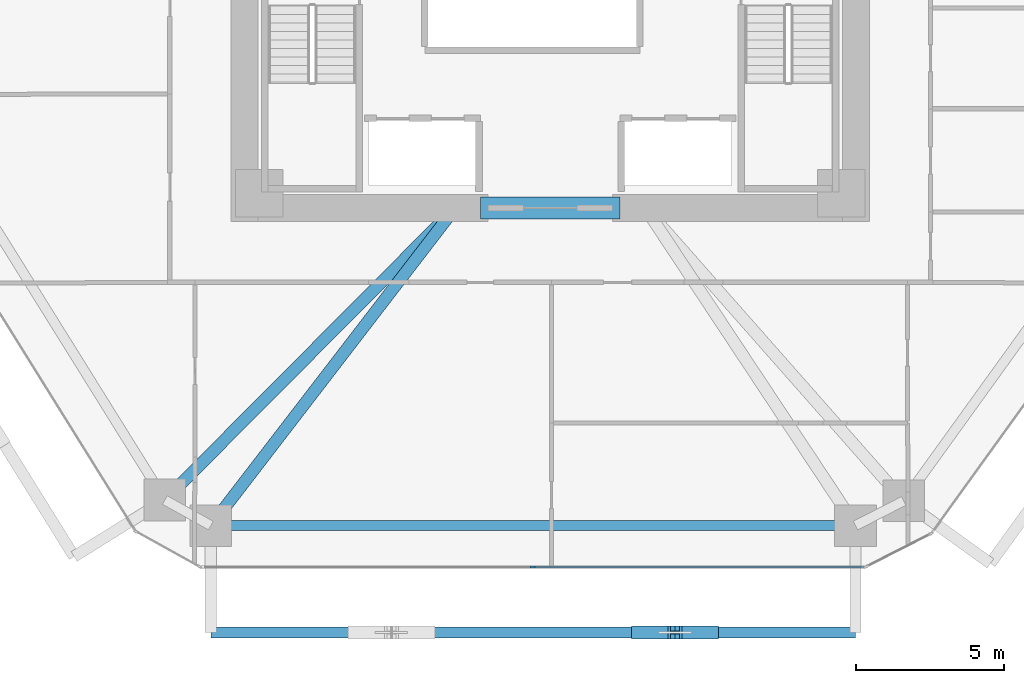
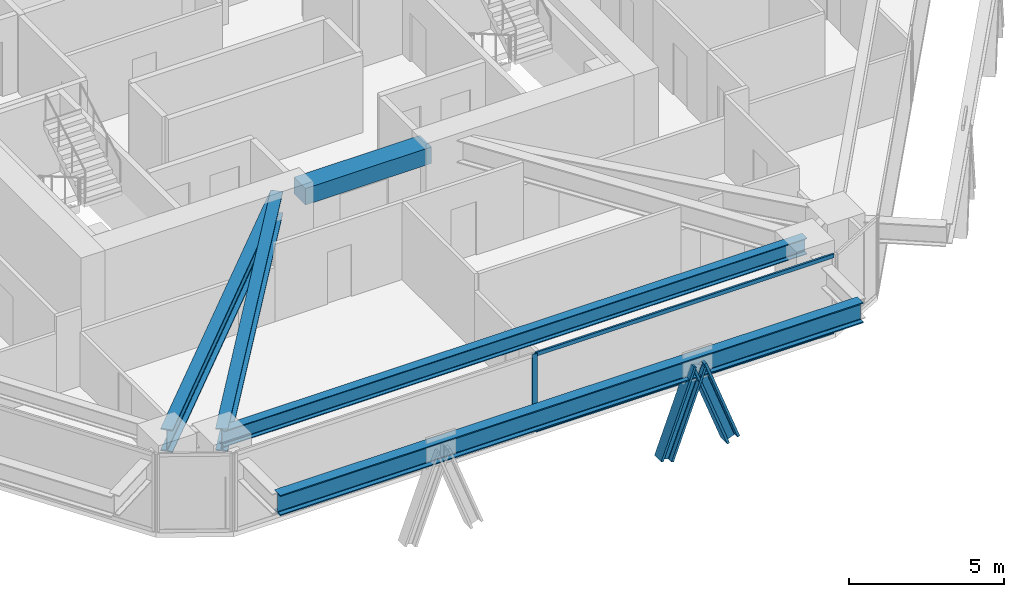
# One storey, part 3 of 17: 5 beams, 5 members, 1 element without a shape of its own.
"""IFC4 building model written with IfcOpenShell, lengths in metres."""

from ifc_helpers import new_model, si_unit, direction, frame, origin, origin_2d, place, context, subcontext, project, spatial, rectangle, i_section, extrude, source, transform, mapped, material, layer, layer_set, material_profile, profile_set, type_object, type_shapes, element, aggregate, save


model = new_model("IFC4")

# Units and contexts
model_context = context("Model", 3, precision=1e-05, world=origin(), true_north=direction((0.0, 1.0)))
body_context = subcontext(model_context, "Body", "Model", "MODEL_VIEW")
ifc_project = project(units=[si_unit("LENGTHUNIT", "METRE"), si_unit("AREAUNIT", "SQUARE_METRE"), si_unit("VOLUMEUNIT", "CUBIC_METRE"), si_unit("PLANEANGLEUNIT", "RADIAN"), si_unit("MASSUNIT", "GRAM", prefix="KILO")], contexts=[model_context])

# Site, building, storey
site_placement = place(None, origin())
site = spatial("IfcSite", under=ifc_project, at=site_placement, CompositionType="ELEMENT")
building_placement = place(site_placement, origin())
building = spatial("IfcBuilding", under=site, at=building_placement, Name="Durnholm Broadcast Tower", CompositionType="ELEMENT")
storey_placement = place(building_placement, frame((0.0, 0.0, 72.0)))
storey = spatial("IfcBuildingStorey", under=building, at=storey_placement, Name="L18", CompositionType="ELEMENT", Elevation=72.0)

# Beams
ifc_material_1 = material(Name="Concrete C70/85", Category="concrete")
ifc_material_profile_1 = material_profile(ifc_material_1, rectangle(XDim=0.75, YDim=0.64990234375, at=origin_2d()), Name="RC750X650")
ifc_profile_set_1 = profile_set([ifc_material_profile_1], Name="Concrete C70/85")
beam_type_1 = type_object("IfcBeamType", Name="BM-CB-RC650", PredefinedType="LINTEL", material=ifc_profile_set_1)
shared_shape_1 = source(origin(), body_context, "Body", "SweptSolid", [
    extrude(rectangle(XDim=0.75, YDim=0.64990234375, at=origin_2d()), origin(), (0.0, 0.0, 1.0), 4.7001953125),
])
type_shapes(beam_type_1, [shared_shape_1])
beam_1_placement = place(storey_placement, frame((-2.35009765625, -8.300048828125, 2.72998046875), z_axis=(1.0, 0.0, 0.0), x_axis=(0.0, 1.0, 0.0)))
element("IfcBeam", 1, at=beam_1_placement, inside=storey, type_object=beam_type_1, Name="L18 south core coupling lintel beam CB-S", PredefinedType="LINTEL", context=body_context, shape_type="MappedRepresentation", body=[
    mapped(shared_shape_1, transform((0.0, 0.0, 0.0), x_axis=(1.0, 0.0, 0.0), y_axis=(0.0, 1.0, 0.0), z_axis=(0.0, 0.0, 1.0), scale=1.0)),
])
ifc_material_2 = material(Name="Steel ASTM A992 Grade 50", Category="steel")
ifc_material_profile_2 = material_profile(ifc_material_2, i_section(OverallWidth=0.3291015625, OverallDepth=0.635009765625, WebThickness=0.017822265625, FlangeThickness=0.031005859375, FilletRadius=0.02783203125, at=origin_2d()), Name="W24X162")
ifc_profile_set_2 = profile_set([ifc_material_profile_2], Name="Steel ASTM A992 Grade 50")
beam_type_2 = type_object("IfcBeamType", Name="STL-SP-W24X162", PredefinedType="SPANDREL", material=ifc_profile_set_2)
shared_shape_2 = source(origin(), body_context, "Body", "SweptSolid", [
    extrude(i_section(OverallWidth=0.3291015625, OverallDepth=0.635009765625, WebThickness=0.017822265625, FlangeThickness=0.031005859375, FilletRadius=0.02783203125, at=origin_2d()), origin(), (0.0, 0.0, 1.0), 21.7138671875),
])
type_shapes(beam_type_2, [shared_shape_2])
beam_2_placement = place(storey_placement, frame((10.28271484375, -19.0, 2.7275390625), z_axis=(-1.0, 0.0, 0.0), x_axis=(0.0, -1.0, 0.0)))
element("IfcBeam", 2, at=beam_2_placement, inside=storey, type_object=beam_type_2, Name="L18 perimeter spandrel girder 11", PredefinedType="SPANDREL", context=body_context, shape_type="MappedRepresentation", body=[
    mapped(shared_shape_2, transform((0.0, 0.0, 0.0), x_axis=(1.0, 0.0, 0.0), y_axis=(0.0, 1.0, 0.0), z_axis=(0.0, 0.0, 1.0), scale=1.0)),
])
ifc_material_profile_3 = material_profile(ifc_material_2, i_section(OverallWidth=0.404052734375, OverallDepth=0.885009765625, WebThickness=0.0244140625, FlangeThickness=0.0439453125, FilletRadius=0.03564453125, at=origin_2d()), Name="W33X291")
ifc_profile_set_3 = profile_set([ifc_material_profile_3], Name="Steel ASTM A992 Grade 50")
beam_type_3 = type_object("IfcBeamType", Name="STL-GR-W33X291", PredefinedType="USERDEFINED", material=ifc_profile_set_3)
shared_shape_3 = source(origin(), body_context, "Body", "SweptSolid", [
    extrude(i_section(OverallWidth=0.404052734375, OverallDepth=0.885009765625, WebThickness=0.0244140625, FlangeThickness=0.0439453125, FilletRadius=0.03564453125, at=origin_2d()), origin(), (0.0, 0.0, 1.0), 13.874267578125),
])
beam_3_placement = place(storey_placement, frame((-3.199951171875, -8.300048828125, 2.6025390625), z_axis=(-0.705097917174, -0.709109954237, 0.0), x_axis=(0.709109954237, -0.705097917174, 0.0)))
element("IfcBeam", 3, at=beam_3_placement, inside=storey, type_object=beam_type_3, Name="L18 radial primary floor girder 01", ObjectType="GIRDER", PredefinedType="USERDEFINED", context=body_context, shape_type="MappedRepresentation", body=[
    mapped(shared_shape_3, transform((0.0, 0.0, 0.0), x_axis=(1.0, 0.0, 0.0), y_axis=(0.0, 1.0, 0.0), z_axis=(0.0, 0.0, 1.0), scale=1.0)),
])
shared_shape_4 = source(origin(), body_context, "Body", "SweptSolid", [
    extrude(i_section(OverallWidth=0.404052734375, OverallDepth=0.885009765625, WebThickness=0.0244140625, FlangeThickness=0.0439453125, FilletRadius=0.03564453125, at=origin_2d()), origin(), (0.0, 0.0, 1.0), 13.499755859375),
])
type_shapes(beam_type_3, [shared_shape_3, shared_shape_4])
beam_4_placement = place(storey_placement, frame((-3.199951171875, -8.300048828125, 2.6025390625), z_axis=(-0.609732610412, -0.79260718127, 0.0), x_axis=(0.79260718127, -0.609732610412, 0.0)))
element("IfcBeam", 4, at=beam_4_placement, inside=storey, type_object=beam_type_3, Name="L18 radial primary floor girder 12", ObjectType="GIRDER", PredefinedType="USERDEFINED", context=body_context, shape_type="MappedRepresentation", body=[
    mapped(shared_shape_4, transform((0.0, 0.0, 0.0), x_axis=(1.0, 0.0, 0.0), y_axis=(0.0, 1.0, 0.0), z_axis=(0.0, 0.0, 1.0), scale=1.0)),
])
ifc_material_profile_4 = material_profile(ifc_material_2, i_section(OverallWidth=0.385009765625, OverallDepth=0.802978515625, WebThickness=0.023681640625, FlangeThickness=0.0419921875, FilletRadius=0.032958984375, at=origin_2d()), Name="W30X261")
ifc_profile_set_4 = profile_set([ifc_material_profile_4], Name="Steel ASTM A992 Grade 50")
beam_type_4 = type_object("IfcBeamType", Name="BM-EXO-TIE", PredefinedType="USERDEFINED", material=ifc_profile_set_4)
shared_shape_5 = source(origin(), body_context, "Body", "SweptSolid", [
    extrude(i_section(OverallWidth=0.385009765625, OverallDepth=0.802978515625, WebThickness=0.023681640625, FlangeThickness=0.0419921875, FilletRadius=0.032958984375, at=origin_2d()), origin(), (0.0, 0.0, 1.0), 21.7138671875),
])
type_shapes(beam_type_4, [shared_shape_5])
beam_5_placement = place(storey_placement, frame((-11.43115234375, -22.60009765625, 2.30859375), z_axis=(1.0, 0.0, 0.0), x_axis=(0.0, 1.0, 0.0)))
element("IfcBeam", 5, at=beam_5_placement, inside=storey, type_object=beam_type_4, Name="L18 exoskeleton collector spandrel F1", PredefinedType="SPANDREL", context=body_context, shape_type="MappedRepresentation", body=[
    mapped(shared_shape_5, transform((0.0, 0.0, 0.0), x_axis=(1.0, 0.0, 0.0), y_axis=(0.0, 1.0, 0.0), z_axis=(0.0, 0.0, 1.0), scale=1.0)),
])

# Members
ifc_material_3 = material(Name="Steel ASTM A913 Grade 65", Category="steel")
ifc_material_profile_5 = material_profile(ifc_material_3, i_section(OverallWidth=0.43212890625, OverallDepth=0.497802734375, WebThickness=0.0556640625, FlangeThickness=0.0888671875, FilletRadius=0.030517578125, at=origin_2d()), Name="W14X500")
ifc_profile_set_5 = profile_set([ifc_material_profile_5], Name="Steel ASTM A913 Grade 65")
member_type_1 = type_object("IfcMemberType", Name="STL-DG-W14X500", PredefinedType="BRACE", material=ifc_profile_set_5)
shared_shape_6 = source(origin(), body_context, "Body", "SweptSolid", [
    extrude(i_section(OverallWidth=0.43212890625, OverallDepth=0.497802734375, WebThickness=0.0556640625, FlangeThickness=0.0888671875, FilletRadius=0.030517578125, at=origin_2d()), origin(), (0.0, 0.0, 1.0), 3.523193359375),
])
type_shapes(member_type_1, [shared_shape_6])
for number, where, z_axis, x_axis, name in (
    (6, (2.968994140625, -22.60009765625, -0.991455078125), (0.350219588454, 0.0, 0.936667625075), (0.0, 1.0, 0.0), "L18 stand-off diagrid brace F1.D2.1"),
    (7, (5.436767578125, -22.60009765625, -0.991455078125), (-0.350219588454, 0.0, 0.936667625075), (0.0, -1.0, 0.0), "L18 stand-off diagrid brace F1.D2.2"),
):
    element("IfcMember", number, at=place(storey_placement, frame(where, z_axis=z_axis, x_axis=x_axis)), inside=storey, type_object=member_type_1, Name=name, PredefinedType="BRACE", context=body_context, shape_type="MappedRepresentation", body=[
        mapped(shared_shape_6, transform((0.0, 0.0, 0.0), x_axis=(1.0, 0.0, 0.0), y_axis=(0.0, 1.0, 0.0), z_axis=(0.0, 0.0, 1.0), scale=1.0)),
    ])

# Curtain wall, members
ifc_material_4 = material(Name="Aluminium and Solar Control IGU", Category="aluminium")
ifc_layer = layer(ifc_material_4, 0.18994140625)
ifc_layer_set = layer_set([ifc_layer], Name="Aluminium and Solar Control IGU")
curtain_wall_type = type_object("IfcCurtainWallType", Name="CW-SYS-3", PredefinedType="NOTDEFINED", material=ifc_layer_set)
curtain_wall_placement = place(storey_placement, origin())
curtain_wall = element("IfcCurtainWall", 8, at=curtain_wall_placement, inside=storey, type_object=curtain_wall_type, Name="L18 curtain wall CW-Z12-VIS CW-L18-F10", PredefinedType="NOTDEFINED")
ifc_material_5 = material(Name="Aluminium 6063-T6", Category="aluminium")
ifc_material_profile_6 = material_profile(ifc_material_5, rectangle(XDim=0.070068359375, YDim=0.18994140625, at=origin_2d()), Name="CWM70X190")
ifc_profile_set_6 = profile_set([ifc_material_profile_6], Name="Aluminium 6063-T6")
member_type_2 = type_object("IfcMemberType", Name="CW-SYS-3-MUL", PredefinedType="MULLION", material=ifc_profile_set_6)
shared_shape_7 = source(origin(), body_context, "Body", "SweptSolid", [
    extrude(rectangle(XDim=0.070068359375, YDim=0.18994140625, at=origin_2d()), origin(), (0.0, 0.0, 1.0), 3.06005859375),
])
type_shapes(member_type_2, [shared_shape_7])
member_1_placement = place(storey_placement, frame((-0.5869140625, -20.39990234375, 0.0), z_axis=(0.0, 0.0, 1.0), x_axis=(0.0, -1.0, 0.0)))
member_1 = element("IfcMember", 9, at=member_1_placement, type_object=member_type_2, Name="CW-Z12-VIS mullion 2", PredefinedType="MULLION", context=body_context, shape_type="MappedRepresentation", body=[
    mapped(shared_shape_7, transform((0.0, 0.0, 0.0), x_axis=(1.0, 0.0, 0.0), y_axis=(0.0, 1.0, 0.0), z_axis=(0.0, 0.0, 1.0), scale=1.0)),
])
ifc_material_profile_7 = material_profile(ifc_material_5, rectangle(XDim=0.070068359375, YDim=0.14990234375, at=origin_2d()), Name="CWT70X150")
ifc_profile_set_7 = profile_set([ifc_material_profile_7], Name="Aluminium 6063-T6")
member_type_3 = type_object("IfcMemberType", Name="CW-SYS-3-TRN", PredefinedType="USERDEFINED", material=ifc_profile_set_7)
shared_shape_8 = source(origin(), body_context, "Body", "SweptSolid", [
    extrude(rectangle(XDim=0.070068359375, YDim=0.14990234375, at=origin_2d()), origin(), (0.0, 0.0, 1.0), 11.10205078125),
])
type_shapes(member_type_3, [shared_shape_8])
member_2_placement = place(storey_placement, frame((10.55029296875, -20.39990234375, 0.034912109375), z_axis=(-1.0, 0.0, 0.0), x_axis=(0.0, -1.0, 0.0)))
member_2 = element("IfcMember", 10, at=member_2_placement, type_object=member_type_3, Name="CW-Z12-VIS transom 1.1", ObjectType="TRANSOM", PredefinedType="USERDEFINED", context=body_context, shape_type="MappedRepresentation", body=[
    mapped(shared_shape_8, transform((0.0, 0.0, 0.0), x_axis=(1.0, 0.0, 0.0), y_axis=(0.0, 1.0, 0.0), z_axis=(0.0, 0.0, 1.0), scale=1.0)),
])
member_3_placement = place(storey_placement, frame((10.55029296875, -20.39990234375, 3.02490234375), z_axis=(-1.0, 0.0, 0.0), x_axis=(0.0, -1.0, 0.0)))
member_3 = element("IfcMember", 11, at=member_3_placement, type_object=member_type_3, Name="CW-Z12-VIS transom 1.2", ObjectType="TRANSOM", PredefinedType="USERDEFINED", context=body_context, shape_type="MappedRepresentation", body=[
    mapped(shared_shape_8, transform((0.0, 0.0, 0.0), x_axis=(1.0, 0.0, 0.0), y_axis=(0.0, 1.0, 0.0), z_axis=(0.0, 0.0, 1.0), scale=1.0)),
])
aggregate(curtain_wall, [member_1, member_2, member_3])

save(model, "model.ifc")
